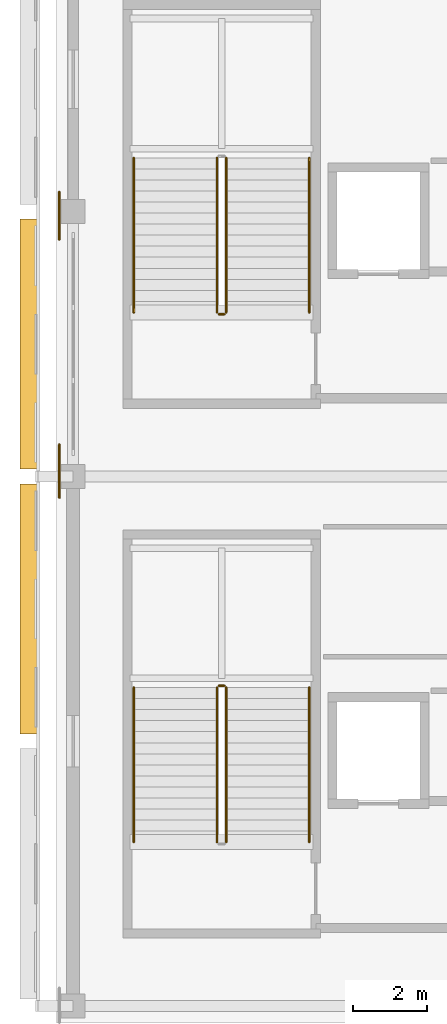
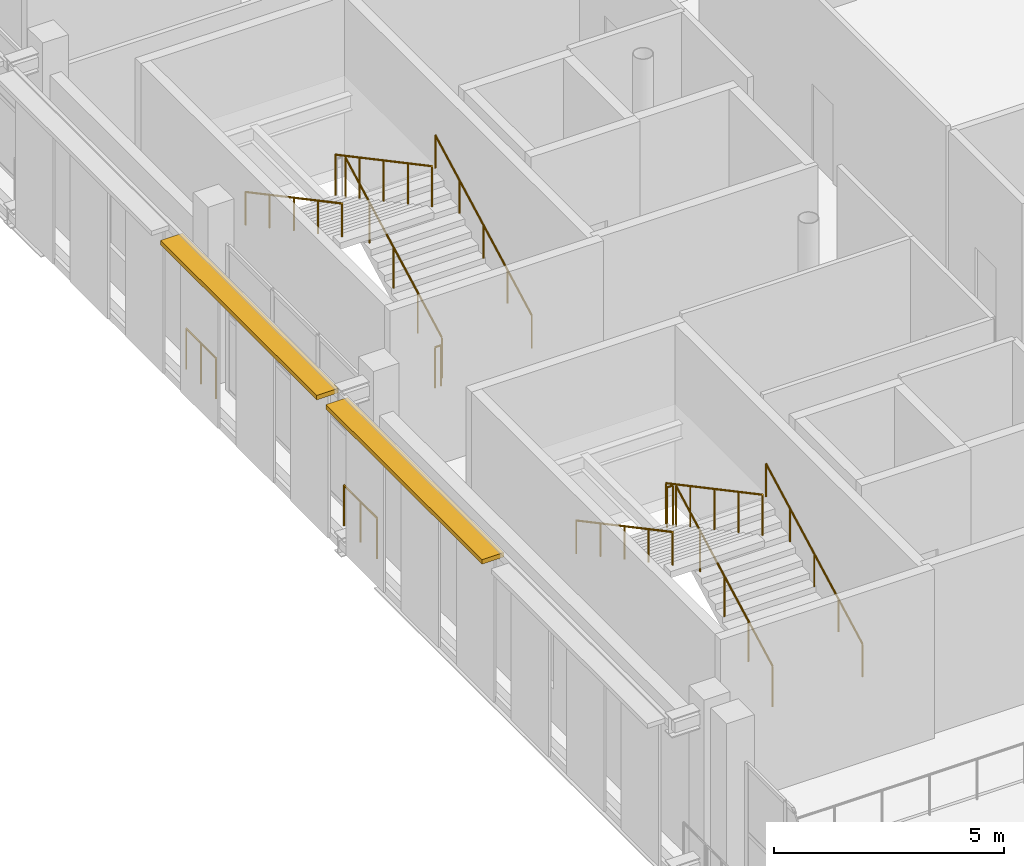
# One storey, part 80 of 104: 12 railings, 2 shading devices.
"""IFC4 building model written with IfcOpenShell, lengths in metres."""

from ifc_helpers import new_model, si_unit, direction, frame, origin, origin_2d, place, context, subcontext, project, spatial, rectangle, circle, extrude, material, type_object, element, save


model = new_model("IFC4")

# Units and contexts
model_context = context("Model", 3, precision=1e-05, world=origin(), true_north=direction((0.0, 1.0)))
body_context = subcontext(model_context, "Body", "Model", "MODEL_VIEW")
ifc_project = project(units=[si_unit("LENGTHUNIT", "METRE"), si_unit("AREAUNIT", "SQUARE_METRE"), si_unit("VOLUMEUNIT", "CUBIC_METRE"), si_unit("PLANEANGLEUNIT", "RADIAN"), si_unit("MASSUNIT", "GRAM", prefix="KILO")], contexts=[model_context])

# Site, building, storey
site_placement = place(None, origin())
site = spatial("IfcSite", under=ifc_project, at=site_placement, CompositionType="ELEMENT")
building_placement = place(site_placement, origin())
building = spatial("IfcBuilding", under=site, at=building_placement, Name="Koshinbarg Plaza Stadium", CompositionType="ELEMENT")
storey_placement = place(building_placement, frame((0.0, 0.0, 19.800048828125)))
storey = spatial("IfcBuildingStorey", under=building, at=storey_placement, Name="L04", CompositionType="ELEMENT", Elevation=19.800048828125)

# Railings
ifc_material_1 = material(Name="Toughened laminated glass and stainless steel sightline balustrade", Category="steel")
railing_type_1 = type_object("IfcRailingType", Name="RL-BOWL-1100", PredefinedType="BALUSTRADE", material=ifc_material_1)
railing_1_placement = place(storey_placement, frame((24.22509765625, 39.3232421875, 0.0)))
element("IfcRailing", 1, at=railing_1_placement, inside=storey, type_object=railing_type_1, Name="L04 deck edge safety balustrade 0281", PredefinedType="BALUSTRADE", context=body_context, shape_type="SweptSolid", body=[
    extrude(circle(Radius=0.02392578125, at=origin_2d()), frame((0.0, 0.0, 1.076171875), z_axis=(0.0, 1.0, 0.0), x_axis=(-1.0, 0.0, 0.0)), (0.0, 0.0, 1.0), 1.44482421875),
    extrude(circle(Radius=0.02099609375, at=origin_2d()), origin(), (0.0, 0.0, 1.0), 1.052001953125),
    extrude(circle(Radius=0.02099609375, at=origin_2d()), frame((0.0, 0.722412109375, 0.0)), (0.0, 0.0, 1.0), 1.052001953125),
    extrude(circle(Radius=0.02099609375, at=origin_2d()), frame((0.0, 1.44482421875, 0.0)), (0.0, 0.0, 1.0), 1.052001953125),
])
railing_2_placement = place(storey_placement, frame((24.22509765625, 46.33837890625, 0.0)))
element("IfcRailing", 2, at=railing_2_placement, inside=storey, type_object=railing_type_1, Name="L04 deck edge safety balustrade 0282", PredefinedType="BALUSTRADE", context=body_context, shape_type="SweptSolid", body=[
    extrude(circle(Radius=0.02392578125, at=origin_2d()), frame((0.0, 0.0, 1.076171875), z_axis=(0.0, 1.0, 0.0), x_axis=(-1.0, 0.0, 0.0)), (0.0, 0.0, 1.0), 1.295654296875),
    extrude(circle(Radius=0.02099609375, at=origin_2d()), origin(), (0.0, 0.0, 1.0), 1.052001953125),
    extrude(circle(Radius=0.02099609375, at=origin_2d()), frame((0.0, 0.64794921875, 0.0)), (0.0, 0.0, 1.0), 1.052001953125),
    extrude(circle(Radius=0.02099609375, at=origin_2d()), frame((0.0, 1.295654296875, 0.0)), (0.0, 0.0, 1.0), 1.052001953125),
])
ifc_material_2 = material(Name="Galvanized painted steel guardrail", Category="steel")
railing_type_2 = type_object("IfcRailingType", Name="RL-GUARD-1100", PredefinedType="GUARDRAIL", material=ifc_material_2)
railing_3_placement = place(storey_placement, frame((28.760009765625, 29.9599609375, 0.159912109375)))
element("IfcRailing", 3, at=railing_3_placement, inside=storey, type_object=railing_type_2, Name="L04 C01 stair guard 1", PredefinedType="GUARDRAIL", context=body_context, shape_type="SweptSolid", body=[
    extrude(circle(Radius=0.02392578125, at=origin_2d()), frame((0.0, 0.0, 1.076171875), z_axis=(0.0, 0.882351521365, 0.470590897432), x_axis=(-1.0, 0.0, 0.0)), (0.0, 0.0, 1.0), 4.760009765625),
    extrude(circle(Radius=0.02099609375, at=origin_2d()), origin(), (0.0, 0.0, 1.0), 1.052001953125),
    extrude(circle(Radius=0.02099609375, at=origin_2d()), frame((0.0, 1.050048828125, 0.56005859375)), (0.0, 0.0, 1.0), 1.052001953125),
    extrude(circle(Radius=0.02099609375, at=origin_2d()), frame((0.0, 2.10009765625, 1.1201171875)), (0.0, 0.0, 1.0), 1.052001953125),
    extrude(circle(Radius=0.02099609375, at=origin_2d()), frame((0.0, 3.14990234375, 1.679931640625)), (0.0, 0.0, 1.0), 1.052001953125),
    extrude(circle(Radius=0.02099609375, at=origin_2d()), frame((0.0, 4.199951171875, 2.239990234375)), (0.0, 0.0, 1.0), 1.052001953125),
])
railing_4_placement = place(storey_placement, frame((28.7099609375, 34.2099609375, 2.39990234375)))
element("IfcRailing", 4, at=railing_4_placement, inside=storey, type_object=railing_type_2, Name="L04 C01 stair guard 2", PredefinedType="GUARDRAIL", context=body_context, shape_type="SweptSolid", body=[
    extrude(circle(Radius=0.02392578125, at=origin_2d()), frame((0.0, 0.0, 1.076171875), z_axis=(-1.0, 0.0, 0.0), x_axis=(0.0, -1.0, 0.0)), (0.0, 0.0, 1.0), 0.14990234375),
    extrude(circle(Radius=0.02099609375, at=origin_2d()), origin(), (0.0, 0.0, 1.0), 1.052001953125),
    extrude(circle(Radius=0.02099609375, at=origin_2d()), frame((-0.14990234375, 0.0, 0.0)), (0.0, 0.0, 1.0), 1.052001953125),
])
railing_5_placement = place(storey_placement, frame((28.510009765625, 34.159912109375, 2.56005859375)))
element("IfcRailing", 5, at=railing_5_placement, inside=storey, type_object=railing_type_2, Name="L04 C01 stair guard 3", PredefinedType="GUARDRAIL", context=body_context, shape_type="SweptSolid", body=[
    extrude(circle(Radius=0.02392578125, at=origin_2d()), frame((0.0, 0.0, 1.076171875), z_axis=(0.0, -0.882351521365, 0.470590897432), x_axis=(1.0, 0.0, 0.0)), (0.0, 0.0, 1.0), 4.760009765625),
    extrude(circle(Radius=0.02099609375, at=origin_2d()), origin(), (0.0, 0.0, 1.0), 1.052001953125),
    extrude(circle(Radius=0.02099609375, at=origin_2d()), frame((0.0, -1.050048828125, 0.56005859375)), (0.0, 0.0, 1.0), 1.052001953125),
    extrude(circle(Radius=0.02099609375, at=origin_2d()), frame((0.0, -2.10009765625, 1.1201171875)), (0.0, 0.0, 1.0), 1.052001953125),
    extrude(circle(Radius=0.02099609375, at=origin_2d()), frame((0.0, -3.14990234375, 1.679931640625)), (0.0, 0.0, 1.0), 1.052001953125),
    extrude(circle(Radius=0.02099609375, at=origin_2d()), frame((0.0, -4.199951171875, 2.239990234375)), (0.0, 0.0, 1.0), 1.052001953125),
])
railing_6_placement = place(storey_placement, frame((28.760009765625, 44.360107421875, 0.159912109375)))
element("IfcRailing", 6, at=railing_6_placement, inside=storey, type_object=railing_type_2, Name="L04 C02 stair guard 1", PredefinedType="GUARDRAIL", context=body_context, shape_type="SweptSolid", body=[
    extrude(circle(Radius=0.02392578125, at=origin_2d()), frame((0.0, 0.0, 1.076171875), z_axis=(0.0, 0.882351521365, 0.470590897432), x_axis=(-1.0, 0.0, 0.0)), (0.0, 0.0, 1.0), 4.760009765625),
    extrude(circle(Radius=0.02099609375, at=origin_2d()), origin(), (0.0, 0.0, 1.0), 1.052001953125),
    extrude(circle(Radius=0.02099609375, at=origin_2d()), frame((0.0, 1.050048828125, 0.56005859375)), (0.0, 0.0, 1.0), 1.052001953125),
    extrude(circle(Radius=0.02099609375, at=origin_2d()), frame((0.0, 2.10009765625, 1.1201171875)), (0.0, 0.0, 1.0), 1.052001953125),
    extrude(circle(Radius=0.02099609375, at=origin_2d()), frame((0.0, 3.14990234375, 1.679931640625)), (0.0, 0.0, 1.0), 1.052001953125),
    extrude(circle(Radius=0.02099609375, at=origin_2d()), frame((0.0, 4.199951171875, 2.239990234375)), (0.0, 0.0, 1.0), 1.052001953125),
])
railing_7_placement = place(storey_placement, frame((28.510009765625, 48.56005859375, 2.56005859375)))
element("IfcRailing", 7, at=railing_7_placement, inside=storey, type_object=railing_type_2, Name="L04 C02 stair guard 3", PredefinedType="GUARDRAIL", context=body_context, shape_type="SweptSolid", body=[
    extrude(circle(Radius=0.02392578125, at=origin_2d()), frame((0.0, 0.0, 1.076171875), z_axis=(0.0, -0.882351521365, 0.470590897432), x_axis=(1.0, 0.0, 0.0)), (0.0, 0.0, 1.0), 4.760009765625),
    extrude(circle(Radius=0.02099609375, at=origin_2d()), origin(), (0.0, 0.0, 1.0), 1.052001953125),
    extrude(circle(Radius=0.02099609375, at=origin_2d()), frame((0.0, -1.050048828125, 0.56005859375)), (0.0, 0.0, 1.0), 1.052001953125),
    extrude(circle(Radius=0.02099609375, at=origin_2d()), frame((0.0, -2.10009765625, 1.1201171875)), (0.0, 0.0, 1.0), 1.052001953125),
    extrude(circle(Radius=0.02099609375, at=origin_2d()), frame((0.0, -3.14990234375, 1.679931640625)), (0.0, 0.0, 1.0), 1.052001953125),
    extrude(circle(Radius=0.02099609375, at=origin_2d()), frame((0.0, -4.199951171875, 2.239990234375)), (0.0, 0.0, 1.0), 1.052001953125),
])
railing_8_placement = place(storey_placement, frame((28.7099609375, 44.31005859375, 0.0)))
element("IfcRailing", 8, at=railing_8_placement, inside=storey, type_object=railing_type_2, Name="L04 C02 stair guard 4", PredefinedType="GUARDRAIL", context=body_context, shape_type="SweptSolid", body=[
    extrude(circle(Radius=0.02392578125, at=origin_2d()), frame((0.0, 0.0, 1.076171875), z_axis=(-1.0, 0.0, 0.0), x_axis=(0.0, -1.0, 0.0)), (0.0, 0.0, 1.0), 0.14990234375),
    extrude(circle(Radius=0.02099609375, at=origin_2d()), origin(), (0.0, 0.0, 1.0), 1.052001953125),
    extrude(circle(Radius=0.02099609375, at=origin_2d()), frame((-0.14990234375, 0.0, 0.0)), (0.0, 0.0, 1.0), 1.052001953125),
])
ifc_material_3 = material(Name="Brushed stainless steel handrail", Category="steel")
railing_type_3 = type_object("IfcRailingType", Name="RL-HAND-900", PredefinedType="HANDRAIL", material=ifc_material_3)
railing_9_placement = place(storey_placement, frame((31.02001953125, 29.9599609375, 0.159912109375)))
element("IfcRailing", 9, at=railing_9_placement, inside=storey, type_object=railing_type_3, Name="L04 C01 stair handrail 1", PredefinedType="HANDRAIL", context=body_context, shape_type="SweptSolid", body=[
    extrude(circle(Radius=0.02392578125, at=origin_2d()), frame((0.0, 0.0, 0.8759765625), z_axis=(0.0, 0.882351521365, 0.470590897432), x_axis=(-1.0, 0.0, 0.0)), (0.0, 0.0, 1.0), 4.760009765625),
    extrude(circle(Radius=0.02099609375, at=origin_2d()), origin(), (0.0, 0.0, 1.0), 0.851806640625),
    extrude(circle(Radius=0.02099609375, at=origin_2d()), frame((0.0, 1.050048828125, 0.56005859375)), (0.0, 0.0, 1.0), 0.851806640625),
    extrude(circle(Radius=0.02099609375, at=origin_2d()), frame((0.0, 2.10009765625, 1.1201171875)), (0.0, 0.0, 1.0), 0.851806640625),
    extrude(circle(Radius=0.02099609375, at=origin_2d()), frame((0.0, 3.14990234375, 1.679931640625)), (0.0, 0.0, 1.0), 0.851806640625),
    extrude(circle(Radius=0.02099609375, at=origin_2d()), frame((0.0, 4.199951171875, 2.239990234375)), (0.0, 0.0, 1.0), 0.851806640625),
])
railing_10_placement = place(storey_placement, frame((26.25, 34.159912109375, 2.56005859375)))
element("IfcRailing", 10, at=railing_10_placement, inside=storey, type_object=railing_type_3, Name="L04 C01 stair handrail 2", PredefinedType="HANDRAIL", context=body_context, shape_type="SweptSolid", body=[
    extrude(circle(Radius=0.02392578125, at=origin_2d()), frame((0.0, 0.0, 0.8759765625), z_axis=(0.0, -0.882351521365, 0.470590897432), x_axis=(1.0, 0.0, 0.0)), (0.0, 0.0, 1.0), 4.760009765625),
    extrude(circle(Radius=0.02099609375, at=origin_2d()), origin(), (0.0, 0.0, 1.0), 0.851806640625),
    extrude(circle(Radius=0.02099609375, at=origin_2d()), frame((0.0, -1.050048828125, 0.56005859375)), (0.0, 0.0, 1.0), 0.851806640625),
    extrude(circle(Radius=0.02099609375, at=origin_2d()), frame((0.0, -2.10009765625, 1.1201171875)), (0.0, 0.0, 1.0), 0.851806640625),
    extrude(circle(Radius=0.02099609375, at=origin_2d()), frame((0.0, -3.14990234375, 1.679931640625)), (0.0, 0.0, 1.0), 0.851806640625),
    extrude(circle(Radius=0.02099609375, at=origin_2d()), frame((0.0, -4.199951171875, 2.239990234375)), (0.0, 0.0, 1.0), 0.851806640625),
])
railing_11_placement = place(storey_placement, frame((31.02001953125, 44.360107421875, 0.159912109375)))
element("IfcRailing", 11, at=railing_11_placement, inside=storey, type_object=railing_type_3, Name="L04 C02 stair handrail 1", PredefinedType="HANDRAIL", context=body_context, shape_type="SweptSolid", body=[
    extrude(circle(Radius=0.02392578125, at=origin_2d()), frame((0.0, 0.0, 0.8759765625), z_axis=(0.0, 0.882351521365, 0.470590897432), x_axis=(-1.0, 0.0, 0.0)), (0.0, 0.0, 1.0), 4.760009765625),
    extrude(circle(Radius=0.02099609375, at=origin_2d()), origin(), (0.0, 0.0, 1.0), 0.851806640625),
    extrude(circle(Radius=0.02099609375, at=origin_2d()), frame((0.0, 1.050048828125, 0.56005859375)), (0.0, 0.0, 1.0), 0.851806640625),
    extrude(circle(Radius=0.02099609375, at=origin_2d()), frame((0.0, 2.10009765625, 1.1201171875)), (0.0, 0.0, 1.0), 0.851806640625),
    extrude(circle(Radius=0.02099609375, at=origin_2d()), frame((0.0, 3.14990234375, 1.679931640625)), (0.0, 0.0, 1.0), 0.851806640625),
    extrude(circle(Radius=0.02099609375, at=origin_2d()), frame((0.0, 4.199951171875, 2.239990234375)), (0.0, 0.0, 1.0), 0.851806640625),
])
railing_12_placement = place(storey_placement, frame((26.25, 48.56005859375, 2.56005859375)))
element("IfcRailing", 12, at=railing_12_placement, inside=storey, type_object=railing_type_3, Name="L04 C02 stair handrail 2", PredefinedType="HANDRAIL", context=body_context, shape_type="SweptSolid", body=[
    extrude(circle(Radius=0.02392578125, at=origin_2d()), frame((0.0, 0.0, 0.8759765625), z_axis=(0.0, -0.882351521365, 0.470590897432), x_axis=(1.0, 0.0, 0.0)), (0.0, 0.0, 1.0), 4.760009765625),
    extrude(circle(Radius=0.02099609375, at=origin_2d()), origin(), (0.0, 0.0, 1.0), 0.851806640625),
    extrude(circle(Radius=0.02099609375, at=origin_2d()), frame((0.0, -1.050048828125, 0.56005859375)), (0.0, 0.0, 1.0), 0.851806640625),
    extrude(circle(Radius=0.02099609375, at=origin_2d()), frame((0.0, -2.10009765625, 1.1201171875)), (0.0, 0.0, 1.0), 0.851806640625),
    extrude(circle(Radius=0.02099609375, at=origin_2d()), frame((0.0, -3.14990234375, 1.679931640625)), (0.0, 0.0, 1.0), 0.851806640625),
    extrude(circle(Radius=0.02099609375, at=origin_2d()), frame((0.0, -4.199951171875, 2.239990234375)), (0.0, 0.0, 1.0), 0.851806640625),
])

# Shading devices
ifc_material_4 = material(Name="Off-white powder-coated aluminium sun-baffle louvre", Category="aluminium")
shading_device_type = type_object("IfcShadingDeviceType", Name="SHD-LOUVRE-01", PredefinedType="USERDEFINED", material=ifc_material_4)
for number, where, z_axis, x_axis, name in (
    (13, (23.429931640625, 36.300048828125, 4.119873046875), (0.0, 0.0, 1.0), (1.0, 0.0, 0.0), "L04 solar brise-soleil louvre 16"),
    (14, (23.429931640625, 43.5, 4.119873046875), (0.0, 0.0, 1.0), (1.0, 0.0, 0.0), "L04 solar brise-soleil louvre 17"),
):
    element("IfcShadingDevice", number, at=place(storey_placement, frame(where, z_axis=z_axis, x_axis=x_axis)), inside=storey, type_object=shading_device_type, Name=name, ObjectType="LOUVRE", PredefinedType="USERDEFINED", context=body_context, shape_type="SweptSolid", body=[
        extrude(rectangle(XDim=0.550048828125, YDim=6.800048828125, at=origin_2d()), origin(), (0.0, 0.0, 1.0), 0.1201171875),
    ])

save(model, "model.ifc")
